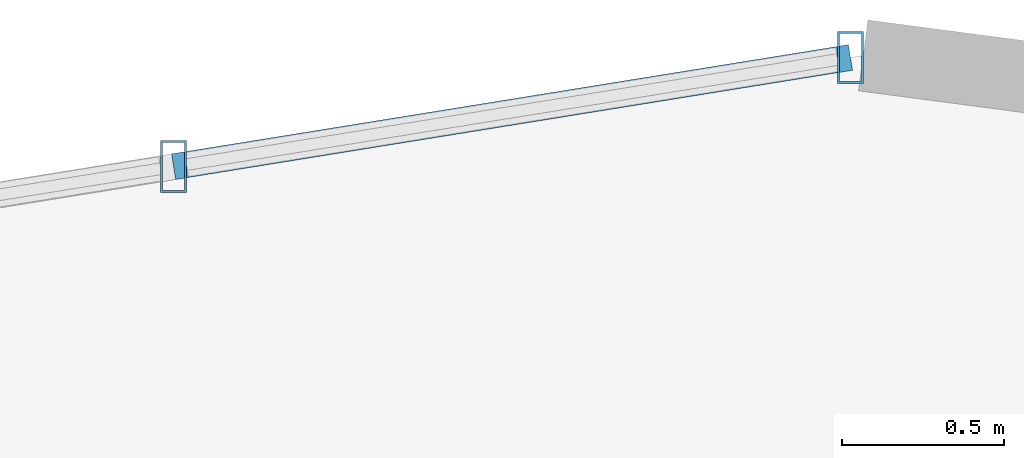
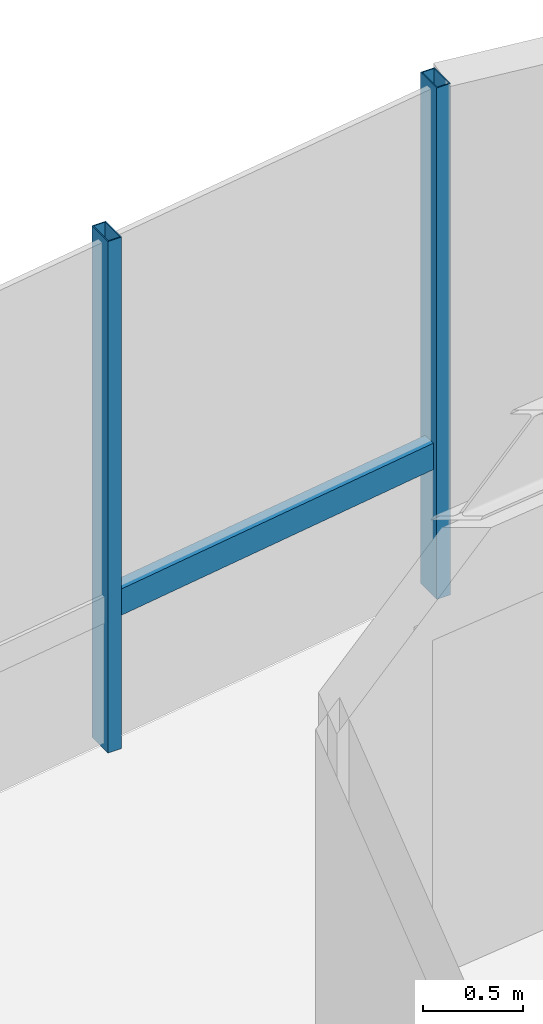
# One storey, part 15 of 21: 3 members, 1 element without a shape of its own.
"""IFC4 building model written with IfcOpenShell, lengths in metres."""

from ifc_helpers import new_model, si_unit, direction, frame, origin, origin_2d, place, context, subcontext, project, spatial, hollow_rectangle, extrude, source, transform, mapped, material, material_profile, profile_set, type_object, element, aggregate, save


model = new_model("IFC4")

# Units and contexts
model_context = context("Model", 3, precision=1e-05, world=origin(), true_north=direction((0.0, 1.0)))
body_context = subcontext(model_context, "Body", "Model", "MODEL_VIEW")
ifc_project = project(units=[si_unit("LENGTHUNIT", "METRE"), si_unit("AREAUNIT", "SQUARE_METRE"), si_unit("VOLUMEUNIT", "CUBIC_METRE"), si_unit("PLANEANGLEUNIT", "RADIAN"), si_unit("MASSUNIT", "GRAM", prefix="KILO")], contexts=[model_context])

# Site, building, storey
site_placement = place(None, origin())
site = spatial("IfcSite", under=ifc_project, at=site_placement, CompositionType="ELEMENT")
building_placement = place(site_placement, origin())
building = spatial("IfcBuilding", under=site, at=building_placement, Name="Sahyath Konkavel Grand Hotel", CompositionType="ELEMENT")
storey_placement = place(building_placement, frame((0.0, 0.0, 209.85009765625)))
storey = spatial("IfcBuildingStorey", under=building, at=storey_placement, Name="L58", CompositionType="ELEMENT", Elevation=209.85009765625)

# Curtain wall, members
ifc_material_1 = material(Name="Anodised Bronze Aluminium & Low-E Glazing", Category="aluminium")
curtain_wall_type = type_object("IfcCurtainWallType", Name="CW-ZONE4", PredefinedType="NOTDEFINED", material=ifc_material_1)
curtain_wall_placement = place(storey_placement, origin())
curtain_wall = element("IfcCurtainWall", 1, at=curtain_wall_placement, inside=storey, type_object=curtain_wall_type, Name="L58 Unitised Curtain Wall F12", PredefinedType="NOTDEFINED")
ifc_material_2 = material(Name="Anodised Bronze Aluminium", Category="aluminium")
ifc_material_profile_1 = material_profile(ifc_material_2, hollow_rectangle(XDim=0.080078125, YDim=0.159912109375, WallThickness=0.006103515625, at=origin_2d()), Name="RHS 160x80x6")
ifc_profile_set_1 = profile_set([ifc_material_profile_1], Name="Anodised Bronze Aluminium")
member_type_1 = type_object("IfcMemberType", Name="CW-MUL-160", PredefinedType="MULLION", material=ifc_profile_set_1)
shared_shape_1 = source(origin(), body_context, "Body", "SweptSolid", [
    extrude(hollow_rectangle(XDim=0.080078125, YDim=0.159912109375, WallThickness=0.006103515625, at=origin_2d()), origin(), (0.0, 0.0, 1.0), 3.10986328125),
])
member_1_placement = place(storey_placement, frame((1.117431640625, 20.318603515625, 0.0), z_axis=(0.0, 0.0, 1.0), x_axis=(1.0, 0.0, 0.0)))
member_1 = element("IfcMember", 2, at=member_1_placement, type_object=member_type_1, Name="L58 Curtain Wall Mullion F12-0", PredefinedType="MULLION", context=body_context, shape_type="MappedRepresentation", body=[
    mapped(shared_shape_1, transform((0.0, 0.0, 0.0), scale=1.0)),
])
member_2_placement = place(storey_placement, frame((-0.9677734375, 19.982177734375, 0.0), z_axis=(0.0, 0.0, 1.0), x_axis=(1.0, 0.0, 0.0)))
member_2 = element("IfcMember", 3, at=member_2_placement, type_object=member_type_1, Name="L58 Curtain Wall Mullion F12-1", PredefinedType="MULLION", context=body_context, shape_type="MappedRepresentation", body=[
    mapped(shared_shape_1, transform((0.0, 0.0, 0.0), scale=1.0)),
])
ifc_material_profile_2 = material_profile(ifc_material_2, hollow_rectangle(XDim=0.080078125, YDim=0.159912109375, WallThickness=0.006103515625, at=origin_2d()), Name="RHS 160x80x6")
ifc_profile_set_2 = profile_set([ifc_material_profile_2], Name="Anodised Bronze Aluminium")
member_type_2 = type_object("IfcMemberType", Name="CW-TRN-160", PredefinedType="USERDEFINED", material=ifc_profile_set_2)
shared_shape_2 = source(origin(), body_context, "Body", "SweptSolid", [
    extrude(hollow_rectangle(XDim=0.080078125, YDim=0.159912109375, WallThickness=0.006103515625, at=origin_2d()), origin(), (0.0, 0.0, 1.0), 2.112060546875),
])
member_3_placement = place(storey_placement, frame((1.117431640625, 20.318603515625, 0.849853515625), z_axis=(-0.987233499712, -0.159279681841, 0.0), x_axis=(0.159279681841, -0.987233499712, 0.0)))
member_3 = element("IfcMember", 4, at=member_3_placement, type_object=member_type_2, Name="L58 Curtain Wall Transom F12-0-spandrel", ObjectType="TRANSOM", PredefinedType="USERDEFINED", context=body_context, shape_type="MappedRepresentation", body=[
    mapped(shared_shape_2, transform((0.0, 0.0, 0.0), scale=1.0)),
])
aggregate(curtain_wall, [member_1, member_2, member_3])

save(model, "model.ifc")
